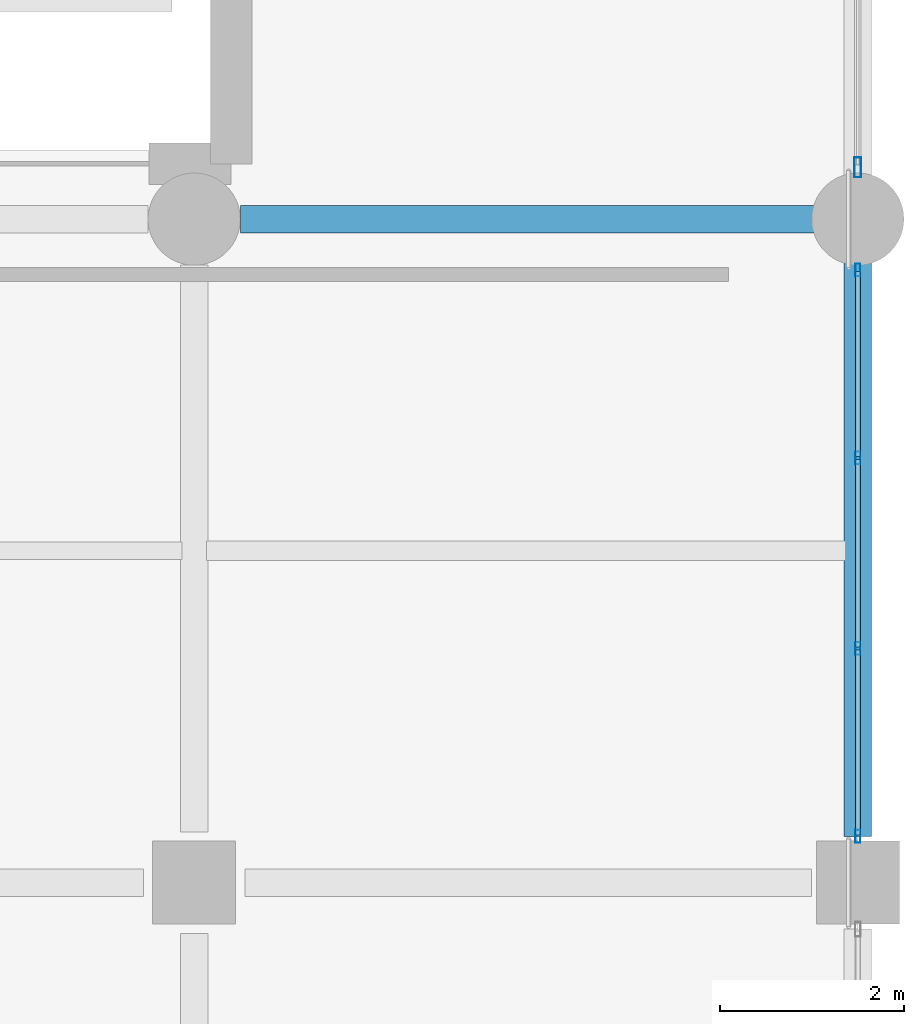
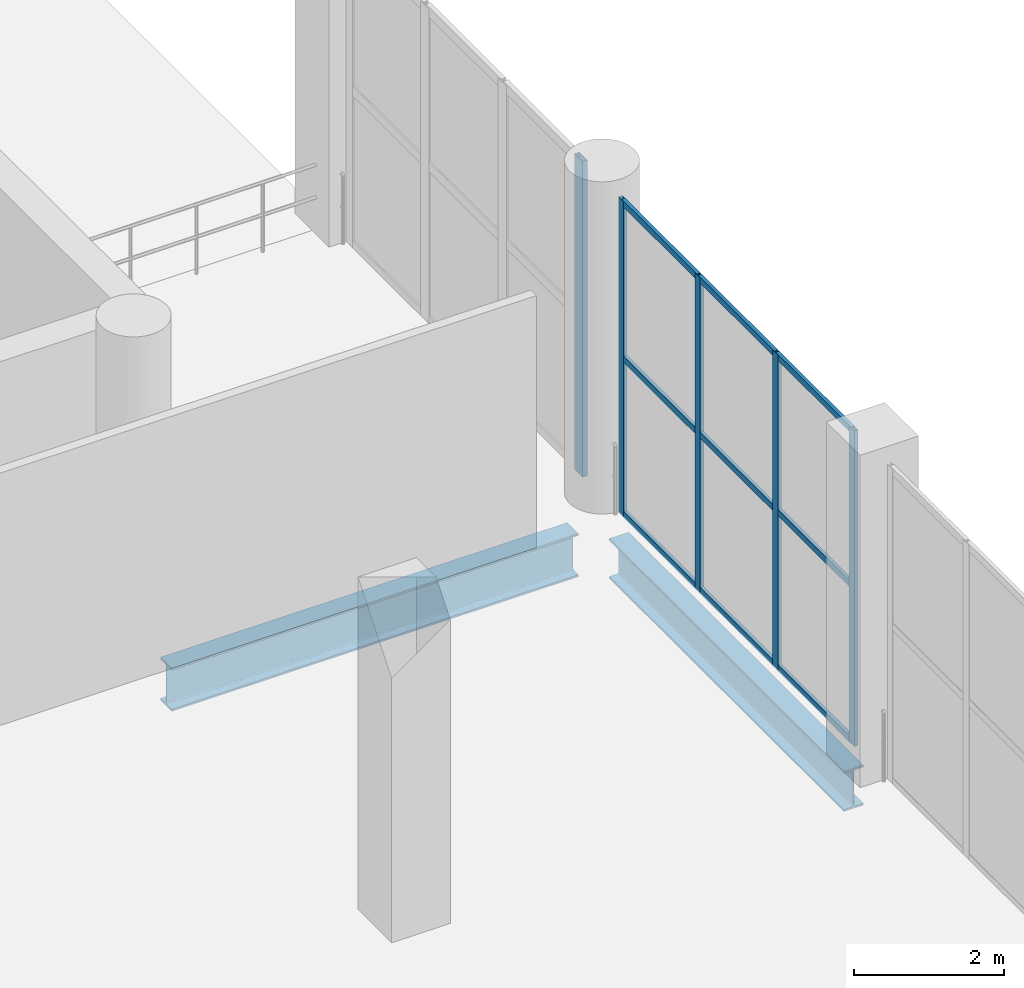
# One storey, part 26 of 58: 14 members, 2 beams, 2 elements without a shape of their own.
"""IFC4 building model written with IfcOpenShell, lengths in metres."""

import ifcopenshell
import ifcopenshell.guid

model = None  # the IFC model being written
_history = None  # IfcOwnerHistory: only IFC2X3 demands one
_inside = {}  # id of a spatial element -> (the spatial element, [elements in it])
_under = {}  # id of a project, library or spatial element -> (it, [spatial elements below it])
_declared = {}  # id of a project -> (the project, [libraries it declares])
_typed = {}  # id of a type object -> (the type object, [elements of that type])
_made_of = {}  # id of a material, layer set ... -> (it, [elements and type objects made of it])


def new_model(schema):
    """Start an empty IFC model of exactly this schema.

    Asked for "IFC4X3", IfcOpenShell would pick the latest addendum, in which some entities
    have other attributes; the version numbers below select the first issue.
    IFC2X3 requires an IfcOwnerHistory on every rooted entity: one is made here for all.
    """
    global model, _history
    if schema == "IFC4X3":
        model = ifcopenshell.file(schema_version=(4, 3, 0, 0))
    else:
        model = ifcopenshell.file(schema=schema)
    _inside.clear()
    _under.clear()
    _declared.clear()
    _typed.clear()
    _made_of.clear()
    _history = None
    if model.schema == "IFC2X3":
        org = make("IfcOrganization", Name="unknown")
        user = make(
            "IfcPersonAndOrganization",
            ThePerson=make("IfcPerson", FamilyName="unknown"),
            TheOrganization=org,
        )
        app = make(
            "IfcApplication",
            ApplicationDeveloper=org,
            Version="unknown",
            ApplicationFullName="unknown",
            ApplicationIdentifier="unknown",
        )
        _history = make(
            "IfcOwnerHistory",
            OwningUser=user,
            OwningApplication=app,
            ChangeAction="ADDED",
            CreationDate=0,
        )
    return model


def make(cls, **values):
    """One entity of the class cls with the attributes given. An attribute that is None is left unset."""
    return model.create_entity(
        cls, **{name: value for name, value in values.items() if value is not None}
    )


def rooted(cls, **values):
    """An entity with a GlobalId (a new one), such as an element, a storey or a relation."""
    return make(cls, GlobalId=ifcopenshell.guid.new(), OwnerHistory=_history, **values)


def si_unit(unit_type, name, prefix=None):
    """IfcSIUnit, for example si_unit("LENGTHUNIT", "METRE", prefix="MILLI")."""
    return make("IfcSIUnit", UnitType=unit_type, Prefix=prefix, Name=name)


def assignment(units):
    """IfcUnitAssignment: the units of a project."""
    return None if units is None else make("IfcUnitAssignment", Units=units)


def point(xyz):
    """IfcCartesianPoint."""
    return None if xyz is None else make("IfcCartesianPoint", Coordinates=xyz)


def direction(xyz):
    """IfcDirection."""
    return None if xyz is None else make("IfcDirection", DirectionRatios=xyz)


def frame(location, z_axis=None, x_axis=None):
    """IfcAxis2Placement3D, a coordinate frame: its origin and axes. An axis left out is left unset."""
    return make(
        "IfcAxis2Placement3D",
        Location=point(location),
        Axis=direction(z_axis),
        RefDirection=direction(x_axis),
    )


def frame_2d(location, x_axis=None):
    """IfcAxis2Placement2D, a coordinate frame in the plane: its origin and x axis."""
    return make(
        "IfcAxis2Placement2D", Location=point(location), RefDirection=direction(x_axis)
    )


def origin():
    """The frame at (0, 0, 0) with its axes left unset."""
    return frame((0.0, 0.0, 0.0))


def origin_2d():
    """The frame at (0, 0) in the plane with its x axis left unset."""
    return frame_2d((0.0, 0.0))


def place(relative_to, where):
    """IfcLocalPlacement: puts the frame where relative to a parent placement (None: the world)."""
    return make(
        "IfcLocalPlacement", PlacementRelTo=relative_to, RelativePlacement=where
    )


def context(
    kind, dimensions, precision=None, world=None, true_north=None, identifier=None
):
    """IfcGeometricRepresentationContext, for example the 3D "Model" context."""
    return make(
        "IfcGeometricRepresentationContext",
        ContextIdentifier=identifier,
        ContextType=kind,
        CoordinateSpaceDimension=dimensions,
        Precision=precision,
        WorldCoordinateSystem=world,
        TrueNorth=true_north,
    )


def subcontext(parent, identifier, kind, view, scale=None):
    """IfcGeometricRepresentationSubContext, for example "Body" below "Model"."""
    return make(
        "IfcGeometricRepresentationSubContext",
        ContextIdentifier=identifier,
        ContextType=kind,
        ParentContext=parent,
        TargetScale=scale,
        TargetView=view,
    )


def project(units=None, contexts=None):
    """IfcProject with its units and contexts."""
    return rooted(
        "IfcProject",
        Name="project",
        RepresentationContexts=contexts,
        UnitsInContext=assignment(units),
    )


def spatial(cls, under=None, at=None, **own):
    """A site, building, storey or space (cls), placed at a placement, below another one or the project."""
    s = rooted(cls, ObjectPlacement=at, **own)
    if under is not None:
        _under.setdefault(under.id(), (under, []))[1].append(s)
    return s


def profile(cls, at=None, kind="AREA", **sizes):
    """A parametric profile (cls). Its sizes go by their IFC names, for example OverallWidth=200.0."""
    return make(cls, ProfileType=kind, Position=at, **sizes)


def hollow_rectangle(**sizes):
    """IfcRectangleHollowProfileDef."""
    return profile("IfcRectangleHollowProfileDef", **sizes)


def i_section(**sizes):
    """IfcIShapeProfileDef."""
    return profile("IfcIShapeProfileDef", **sizes)


def extrude(swept, where, along, depth):
    """IfcExtrudedAreaSolid: the profile swept, set in the frame where, extruded along a direction by depth."""
    return make(
        "IfcExtrudedAreaSolid",
        SweptArea=swept,
        Position=where,
        ExtrudedDirection=direction(along),
        Depth=depth,
    )


def shape(context_of_items, identifier, shape_type, items):
    """IfcShapeRepresentation: the items that make up one representation, for example the "Body"."""
    return make(
        "IfcShapeRepresentation",
        ContextOfItems=context_of_items,
        RepresentationIdentifier=identifier,
        RepresentationType=shape_type,
        Items=items,
    )


def material(Name=None, Category=None):
    """IfcMaterial."""
    return make("IfcMaterial", Name=Name, Category=Category)


def material_profile(
    of_material, cross_section, Name=None, Category=None, Priority=None
):
    """IfcMaterialProfile: a cross section and its material."""
    return make(
        "IfcMaterialProfile",
        Name=Name,
        Material=of_material,
        Profile=cross_section,
        Priority=Priority,
        Category=Category,
    )


def profile_set(profiles, Name=None, composite=None):
    """IfcMaterialProfileSet."""
    return make(
        "IfcMaterialProfileSet",
        Name=Name,
        MaterialProfiles=profiles,
        CompositeProfile=composite,
    )


def made_of(thing, what):
    """Note that an element or type object is made of a material, layer set ...; save() writes the relation."""
    if what is not None:
        _made_of.setdefault(what.id(), (what, []))[1].append(thing)
    return thing


def type_object(cls, material=None, **own):
    """A type object (cls), such as IfcWallType, which elements share."""
    return made_of(rooted(cls, **own), material)


def element(
    cls,
    number,
    at=None,
    inside=None,
    cuts=None,
    type_object=None,
    material=None,
    context=None,
    identifier="Body",
    shape_type=None,
    held_by="IfcProductDefinitionShape",
    body=None,
    shapes=None,
    **own,
):
    """One element of the class cls, such as IfcWall. Its Tag is "e" and its number.

    at: its placement. inside: the storey or other place that contains it. cuts: it is an
    opening in that element (IfcRelVoidsElement). A single representation is given by context,
    identifier, shape_type and body (its items); several are given by shapes. held_by: the class
    of the entity that holds the representations. save() writes the other relations.
    """
    e = rooted(cls, Tag="e%d" % number, ObjectPlacement=at, **own)
    if body is not None:
        shapes = [shape(context, identifier, shape_type, body)]
    if shapes is not None:
        e.Representation = make(held_by, Representations=shapes)
    if inside is not None:
        _inside.setdefault(inside.id(), (inside, []))[1].append(e)
    if cuts is not None:
        rooted(
            "IfcRelVoidsElement", RelatingBuildingElement=cuts, RelatedOpeningElement=e
        )
    if type_object is not None:
        _typed.setdefault(type_object.id(), (type_object, []))[1].append(e)
    return made_of(e, material)


def aggregate(whole, parts):
    """IfcRelAggregates: a whole, such as a stair, and the parts it consists of."""
    return rooted("IfcRelAggregates", RelatingObject=whole, RelatedObjects=parts)


def save(model, path):
    """Write the relations noted so far, then the file.

    IfcRelAggregates (storeys below a building ...), IfcRelContainedInSpatialStructure (elements
    in a storey), IfcRelDefinesByType, IfcRelAssociatesMaterial and IfcRelDeclares: one each for
    every whole, place, type object, material and project.
    """
    for whole, parts in _under.values():
        aggregate(whole, parts)
    for where, things in _inside.values():
        rooted(
            "IfcRelContainedInSpatialStructure",
            RelatedElements=things,
            RelatingStructure=where,
        )
    for kind, things in _typed.values():
        rooted("IfcRelDefinesByType", RelatedObjects=things, RelatingType=kind)
    for what, things in _made_of.values():
        rooted("IfcRelAssociatesMaterial", RelatedObjects=things, RelatingMaterial=what)
    for by, libraries in _declared.values():
        rooted("IfcRelDeclares", RelatingContext=by, RelatedDefinitions=libraries)
    model.write(path)


model = new_model("IFC4")

# Units and contexts
model_context = context("Model", 3, precision=1e-05, world=origin(), true_north=direction((0.0, 1.0)))
body_context = subcontext(model_context, "Body", "Model", "MODEL_VIEW")
ifc_project = project(units=[si_unit("LENGTHUNIT", "METRE"), si_unit("AREAUNIT", "SQUARE_METRE"), si_unit("VOLUMEUNIT", "CUBIC_METRE"), si_unit("PLANEANGLEUNIT", "RADIAN"), si_unit("MASSUNIT", "GRAM", prefix="KILO")], contexts=[model_context])

# Site, building, storey
site_placement = place(None, origin())
site = spatial("IfcSite", under=ifc_project, at=site_placement, CompositionType="ELEMENT")
building_placement = place(site_placement, origin())
building = spatial("IfcBuilding", under=site, at=building_placement, Name="Qandorah Velis Arena", CompositionType="ELEMENT")
storey_placement = place(building_placement, origin())
storey = spatial("IfcBuildingStorey", under=building, at=storey_placement, Name="L00", CompositionType="ELEMENT", Elevation=0.0)

# Curtain wall, members
ifc_material_1 = material(Name="Solar-control low-E double glazing", Category="glass")
curtain_wall_type_1 = type_object("IfcCurtainWallType", Name="ARC-CW-SYS16", PredefinedType="USERDEFINED", material=ifc_material_1)
curtain_wall_1_placement = place(storey_placement, origin())
curtain_wall_1 = element("IfcCurtainWall", 1, at=curtain_wall_1_placement, inside=storey, type_object=curtain_wall_type_1, Name="Unitised curtain wall L00-136", ObjectType="UNITISED CURTAIN WALL", PredefinedType="USERDEFINED")
ifc_material_2 = material(Name="Champagne-bronze anodized aluminium 6063-T6", Category="aluminium")
ifc_material_profile_1 = material_profile(ifc_material_2, hollow_rectangle(XDim=0.054931640625, YDim=0.139892578125, WallThickness=0.0029296875, at=origin_2d()), Name="ALU MULLION 55x140")
ifc_profile_set_1 = profile_set([ifc_material_profile_1], Name="Champagne-bronze anodized aluminium 6063-T6")
member_type_1 = type_object("IfcMemberType", Name="ARC-CWM-140", PredefinedType="MULLION", material=ifc_profile_set_1)
member_1_placement = place(storey_placement, frame((172.800048828125, 72.50244140625, -0.014892578125), z_axis=(0.0, 0.0, 1.0), x_axis=(-1.0, 0.0, 0.0)))
member_1 = element("IfcMember", 2, at=member_1_placement, type_object=member_type_1, Name="CW16 mullion 1", PredefinedType="MULLION", context=body_context, shape_type="SweptSolid", body=[
    extrude(hollow_rectangle(XDim=0.054931640625, YDim=0.139892578125, WallThickness=0.0029296875, at=origin_2d()), origin(), (0.0, 0.0, 1.0), 5.1298828125),
])
member_2_placement = place(storey_placement, frame((172.800048828125, 74.541748046875, -0.014892578125), z_axis=(0.0, 0.0, 1.0), x_axis=(-1.0, 0.0, 0.0)))
member_2 = element("IfcMember", 3, at=member_2_placement, type_object=member_type_1, Name="CW16 mullion 2", PredefinedType="MULLION", context=body_context, shape_type="SweptSolid", body=[
    extrude(hollow_rectangle(XDim=0.054931640625, YDim=0.139892578125, WallThickness=0.0029296875, at=origin_2d()), origin(), (0.0, 0.0, 1.0), 5.1298828125),
])
member_3_placement = place(storey_placement, frame((172.800048828125, 76.6083984375, -0.014892578125), z_axis=(0.0, 0.0, 1.0), x_axis=(-1.0, 0.0, 0.0)))
member_3 = element("IfcMember", 4, at=member_3_placement, type_object=member_type_1, Name="CW16 mullion 3", PredefinedType="MULLION", context=body_context, shape_type="SweptSolid", body=[
    extrude(hollow_rectangle(XDim=0.054931640625, YDim=0.139892578125, WallThickness=0.0029296875, at=origin_2d()), origin(), (0.0, 0.0, 1.0), 5.1298828125),
])
member_4_placement = place(storey_placement, frame((172.800048828125, 78.6474609375, -0.014892578125), z_axis=(0.0, 0.0, 1.0), x_axis=(-1.0, 0.0, 0.0)))
member_4 = element("IfcMember", 5, at=member_4_placement, type_object=member_type_1, Name="CW16 mullion 4", PredefinedType="MULLION", context=body_context, shape_type="SweptSolid", body=[
    extrude(hollow_rectangle(XDim=0.054931640625, YDim=0.139892578125, WallThickness=0.0029296875, at=origin_2d()), origin(), (0.0, 0.0, 1.0), 5.1298828125),
])

# Curtain wall, member
curtain_wall_type_2 = type_object("IfcCurtainWallType", Name="ARC-CW-SYS17", PredefinedType="USERDEFINED", material=ifc_material_1)
curtain_wall_2_placement = place(storey_placement, origin())
curtain_wall_2 = element("IfcCurtainWall", 6, at=curtain_wall_2_placement, inside=storey, type_object=curtain_wall_type_2, Name="Unitised curtain wall L00-137", ObjectType="UNITISED CURTAIN WALL", PredefinedType="USERDEFINED")
ifc_material_profile_2 = material_profile(ifc_material_2, hollow_rectangle(XDim=0.074951171875, YDim=0.219970703125, WallThickness=0.00390625, at=origin_2d()), Name="ALU MULLION 75x220")
ifc_profile_set_2 = profile_set([ifc_material_profile_2], Name="Champagne-bronze anodized aluminium 6063-T6")
member_type_2 = type_object("IfcMemberType", Name="ARC-CWM-220", PredefinedType="MULLION", material=ifc_profile_set_2)
member_5_placement = place(storey_placement, frame((172.800048828125, 79.762451171875, -0.014892578125), z_axis=(0.0, 0.0, 1.0), x_axis=(-1.0, 0.0, 0.0)))
member_5 = element("IfcMember", 7, at=member_5_placement, type_object=member_type_2, Name="CW17 mullion 1", PredefinedType="MULLION", context=body_context, shape_type="SweptSolid", body=[
    extrude(hollow_rectangle(XDim=0.074951171875, YDim=0.219970703125, WallThickness=0.00390625, at=origin_2d()), origin(), (0.0, 0.0, 1.0), 5.1298828125),
])
aggregate(curtain_wall_2, [member_5])

# Member
ifc_material_profile_3 = material_profile(ifc_material_2, hollow_rectangle(XDim=0.054931640625, YDim=0.10009765625, WallThickness=0.0029296875, at=origin_2d()), Name="ALU TRANSOM 55x100")
ifc_profile_set_3 = profile_set([ifc_material_profile_3], Name="Champagne-bronze anodized aluminium 6063-T6")
member_type_3 = type_object("IfcMemberType", Name="ARC-CWT-100", PredefinedType="USERDEFINED", material=ifc_profile_set_3)
member_6_placement = place(storey_placement, frame((172.800048828125, 72.51806640625, 0.027587890625), z_axis=(0.0, 1.0, 0.0), x_axis=(-1.0, 0.0, 0.0)))
member_6 = element("IfcMember", 8, at=member_6_placement, type_object=member_type_3, Name="CW16 transom 1.1", ObjectType="TRANSOM", PredefinedType="USERDEFINED", context=body_context, shape_type="SweptSolid", body=[
    extrude(hollow_rectangle(XDim=0.054931640625, YDim=0.10009765625, WallThickness=0.0029296875, at=origin_2d()), origin(), (0.0, 0.0, 1.0), 2.008056640625),
])

member_7_placement = place(storey_placement, frame((172.800048828125, 72.51806640625, 2.550048828125), z_axis=(0.0, 1.0, 0.0), x_axis=(-1.0, 0.0, 0.0)))
member_7 = element("IfcMember", 9, at=member_7_placement, type_object=member_type_3, Name="CW16 transom 1.2", ObjectType="TRANSOM", PredefinedType="USERDEFINED", context=body_context, shape_type="SweptSolid", body=[
    extrude(hollow_rectangle(XDim=0.054931640625, YDim=0.10009765625, WallThickness=0.0029296875, at=origin_2d()), origin(), (0.0, 0.0, 1.0), 2.008056640625),
])

member_8_placement = place(storey_placement, frame((172.800048828125, 72.51806640625, 5.072509765625), z_axis=(0.0, 1.0, 0.0), x_axis=(-1.0, 0.0, 0.0)))
member_8 = element("IfcMember", 10, at=member_8_placement, type_object=member_type_3, Name="CW16 transom 1.3", ObjectType="TRANSOM", PredefinedType="USERDEFINED", context=body_context, shape_type="SweptSolid", body=[
    extrude(hollow_rectangle(XDim=0.054931640625, YDim=0.10009765625, WallThickness=0.0029296875, at=origin_2d()), origin(), (0.0, 0.0, 1.0), 2.008056640625),
])

member_9_placement = place(storey_placement, frame((172.800048828125, 74.55712890625, 0.027587890625), z_axis=(0.0, 1.0, 0.0), x_axis=(-1.0, 0.0, 0.0)))
member_9 = element("IfcMember", 11, at=member_9_placement, type_object=member_type_3, Name="CW16 transom 2.1", ObjectType="TRANSOM", PredefinedType="USERDEFINED", context=body_context, shape_type="SweptSolid", body=[
    extrude(hollow_rectangle(XDim=0.054931640625, YDim=0.10009765625, WallThickness=0.0029296875, at=origin_2d()), origin(), (0.0, 0.0, 1.0), 2.03564453125),
])

member_10_placement = place(storey_placement, frame((172.800048828125, 74.55712890625, 2.550048828125), z_axis=(0.0, 1.0, 0.0), x_axis=(-1.0, 0.0, 0.0)))
member_10 = element("IfcMember", 12, at=member_10_placement, type_object=member_type_3, Name="CW16 transom 2.2", ObjectType="TRANSOM", PredefinedType="USERDEFINED", context=body_context, shape_type="SweptSolid", body=[
    extrude(hollow_rectangle(XDim=0.054931640625, YDim=0.10009765625, WallThickness=0.0029296875, at=origin_2d()), origin(), (0.0, 0.0, 1.0), 2.03564453125),
])

member_11_placement = place(storey_placement, frame((172.800048828125, 74.55712890625, 5.072509765625), z_axis=(0.0, 1.0, 0.0), x_axis=(-1.0, 0.0, 0.0)))
member_11 = element("IfcMember", 13, at=member_11_placement, type_object=member_type_3, Name="CW16 transom 2.3", ObjectType="TRANSOM", PredefinedType="USERDEFINED", context=body_context, shape_type="SweptSolid", body=[
    extrude(hollow_rectangle(XDim=0.054931640625, YDim=0.10009765625, WallThickness=0.0029296875, at=origin_2d()), origin(), (0.0, 0.0, 1.0), 2.03564453125),
])

member_12_placement = place(storey_placement, frame((172.800048828125, 76.623779296875, 0.027587890625), z_axis=(0.0, 1.0, 0.0), x_axis=(-1.0, 0.0, 0.0)))
member_12 = element("IfcMember", 14, at=member_12_placement, type_object=member_type_3, Name="CW16 transom 3.1", ObjectType="TRANSOM", PredefinedType="USERDEFINED", context=body_context, shape_type="SweptSolid", body=[
    extrude(hollow_rectangle(XDim=0.054931640625, YDim=0.10009765625, WallThickness=0.0029296875, at=origin_2d()), origin(), (0.0, 0.0, 1.0), 2.00830078125),
])

member_13_placement = place(storey_placement, frame((172.800048828125, 76.623779296875, 2.550048828125), z_axis=(0.0, 1.0, 0.0), x_axis=(-1.0, 0.0, 0.0)))
member_13 = element("IfcMember", 15, at=member_13_placement, type_object=member_type_3, Name="CW16 transom 3.2", ObjectType="TRANSOM", PredefinedType="USERDEFINED", context=body_context, shape_type="SweptSolid", body=[
    extrude(hollow_rectangle(XDim=0.054931640625, YDim=0.10009765625, WallThickness=0.0029296875, at=origin_2d()), origin(), (0.0, 0.0, 1.0), 2.00830078125),
])

member_14_placement = place(storey_placement, frame((172.800048828125, 76.623779296875, 5.072509765625), z_axis=(0.0, 1.0, 0.0), x_axis=(-1.0, 0.0, 0.0)))
member_14 = element("IfcMember", 16, at=member_14_placement, type_object=member_type_3, Name="CW16 transom 3.3", ObjectType="TRANSOM", PredefinedType="USERDEFINED", context=body_context, shape_type="SweptSolid", body=[
    extrude(hollow_rectangle(XDim=0.054931640625, YDim=0.10009765625, WallThickness=0.0029296875, at=origin_2d()), origin(), (0.0, 0.0, 1.0), 2.00830078125),
])

aggregate(curtain_wall_1, [member_1, member_2, member_3, member_4, member_6, member_7, member_8, member_9, member_10, member_11, member_12, member_13, member_14])

# Beams
ifc_material_3 = material(Name="Steel S355", Category="steel")
ifc_material_profile_4 = material_profile(ifc_material_3, i_section(OverallWidth=0.300048828125, OverallDepth=0.64990234375, WebThickness=0.01611328125, FlangeThickness=0.031005859375, FilletRadius=0.027099609375, at=origin_2d()), Name="HEB 650")
ifc_profile_set_4 = profile_set([ifc_material_profile_4], Name="Steel S355")
beam_type_1 = type_object("IfcBeamType", Name="STR-BM-HEB650", PredefinedType="BEAM", material=ifc_profile_set_4)
beam_1_placement = place(storey_placement, frame((172.800048828125, 72.5, -0.7451171875), z_axis=(0.0, 1.0, 0.0), x_axis=(-1.0, 0.0, 0.0)))
element("IfcBeam", 17, at=beam_1_placement, inside=storey, type_object=beam_type_1, Name="Primary floor girder L00 Y-529", PredefinedType="BEAM", context=body_context, shape_type="SweptSolid", body=[
    extrude(i_section(OverallWidth=0.300048828125, OverallDepth=0.64990234375, WebThickness=0.01611328125, FlangeThickness=0.031005859375, FilletRadius=0.027099609375, at=origin_2d()), origin(), (0.0, 0.0, 1.0), 6.25),
])
ifc_material_profile_5 = material_profile(ifc_material_3, i_section(OverallWidth=0.300048828125, OverallDepth=0.699951171875, WebThickness=0.01708984375, FlangeThickness=0.031982421875, FilletRadius=0.027099609375, at=origin_2d()), Name="HEB 700")
ifc_profile_set_5 = profile_set([ifc_material_profile_5], Name="Steel S355")
beam_type_2 = type_object("IfcBeamType", Name="STR-BM-HEB700", PredefinedType="BEAM", material=ifc_profile_set_5)
beam_2_placement = place(storey_placement, frame((166.10009765625, 79.199951171875, -0.77001953125), z_axis=(1.0, 0.0, 0.0), x_axis=(0.0, 1.0, 0.0)))
element("IfcBeam", 18, at=beam_2_placement, inside=storey, type_object=beam_type_2, Name="Primary floor girder L00 X-151", PredefinedType="BEAM", context=body_context, shape_type="SweptSolid", body=[
    extrude(i_section(OverallWidth=0.300048828125, OverallDepth=0.699951171875, WebThickness=0.01708984375, FlangeThickness=0.031982421875, FilletRadius=0.027099609375, at=origin_2d()), origin(), (0.0, 0.0, 1.0), 6.25),
])

save(model, "model.ifc")
